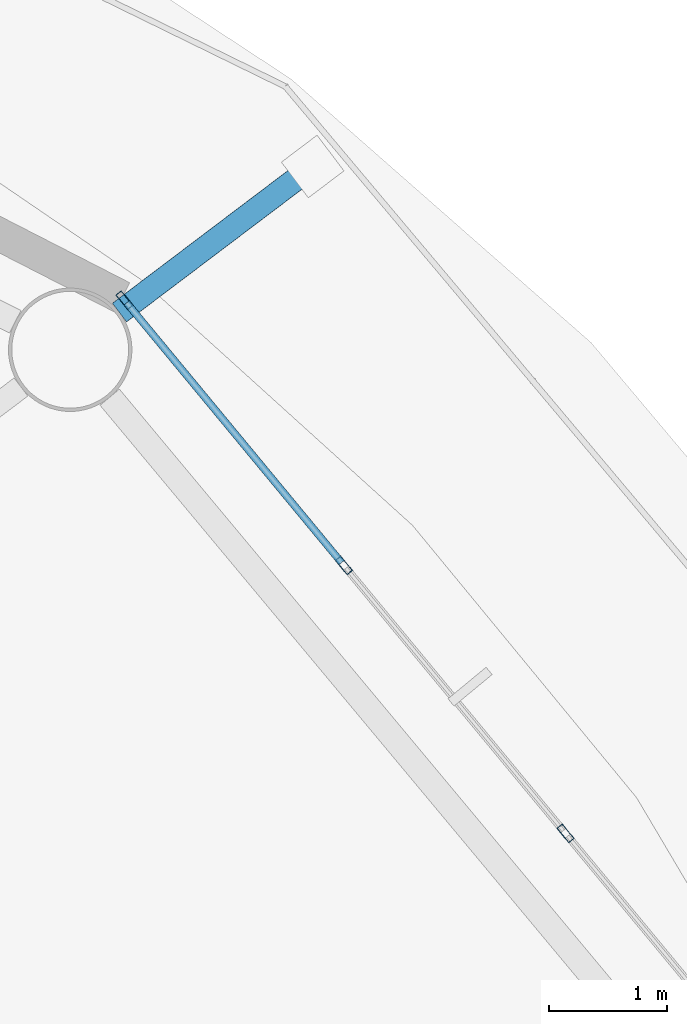
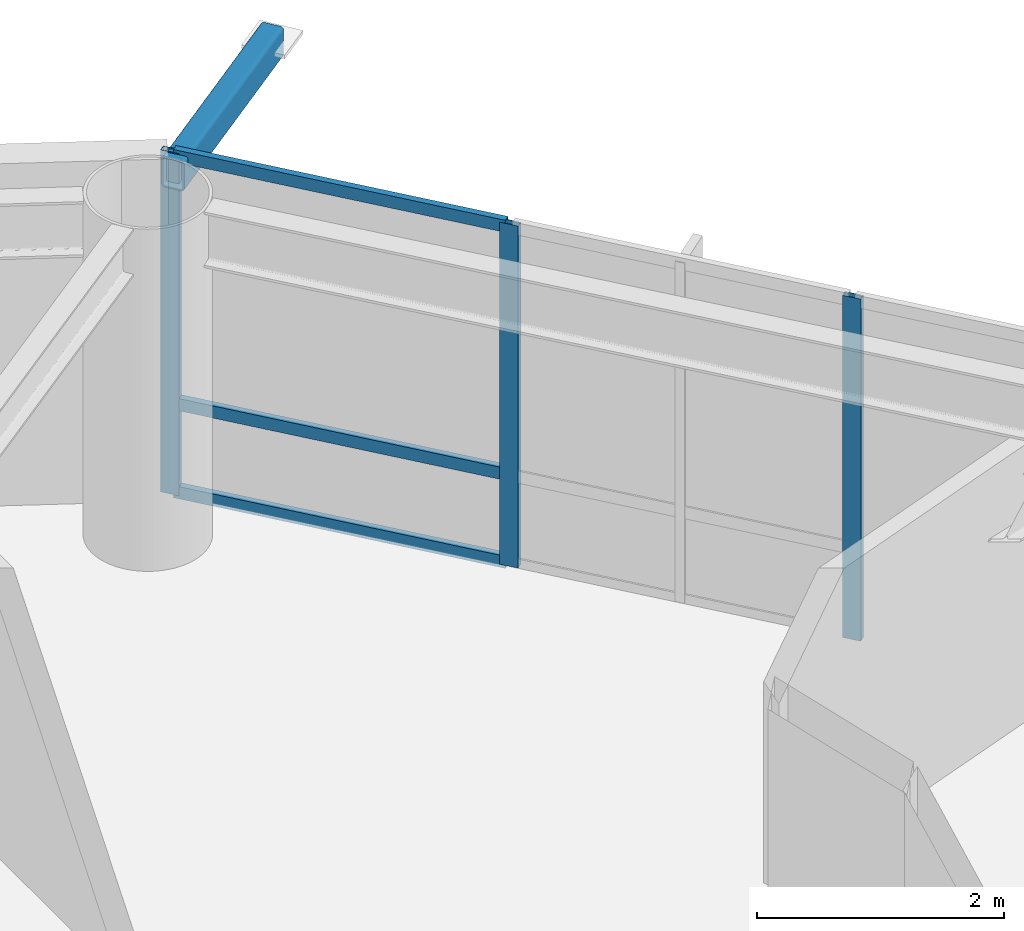
# One storey, part 15 of 27: 7 members, 1 element without a shape of its own.
"""IFC4 building model written with IfcOpenShell, lengths in metres."""

from ifc_helpers import new_model, si_unit, direction, frame, origin, origin_2d, place, context, subcontext, project, spatial, hollow_rectangle, extrude, material, layer, layer_set, material_profile, profile_set, type_object, element, aggregate, save


model = new_model("IFC4")

# Units and contexts
model_context = context("Model", 3, precision=1e-05, world=origin(), true_north=direction((0.0, 1.0)))
body_context = subcontext(model_context, "Body", "Model", "MODEL_VIEW")
ifc_project = project(units=[si_unit("LENGTHUNIT", "METRE"), si_unit("AREAUNIT", "SQUARE_METRE"), si_unit("VOLUMEUNIT", "CUBIC_METRE"), si_unit("PLANEANGLEUNIT", "RADIAN"), si_unit("MASSUNIT", "GRAM", prefix="KILO")], contexts=[model_context])

# Site, building, storey
site_placement = place(None, origin())
site = spatial("IfcSite", under=ifc_project, at=site_placement, CompositionType="ELEMENT")
building_placement = place(site_placement, origin())
building = spatial("IfcBuilding", under=site, at=building_placement, Name="Sarneth Arch Tower", CompositionType="ELEMENT")
storey_placement = place(building_placement, frame((0.0, 0.0, 157.800048828125)))
storey = spatial("IfcBuildingStorey", under=building, at=storey_placement, Name="L39", CompositionType="ELEMENT", Elevation=157.800048828125)

# Curtain wall, members
ifc_material_1 = material(Name="Anodised aluminium Type AA25 and solar-control low-e laminated IGU", Category="aluminium")
ifc_layer = layer(ifc_material_1, 0.169921875)
ifc_layer_set = layer_set([ifc_layer], Name="Anodised aluminium Type AA25 and solar-control low-e laminated IGU")
curtain_wall_type = type_object("IfcCurtainWallType", Name="CW-RES-MID", PredefinedType="NOTDEFINED", material=ifc_layer_set)
curtain_wall_placement = place(storey_placement, origin())
curtain_wall = element("IfcCurtainWall", 1, at=curtain_wall_placement, inside=storey, type_object=curtain_wall_type, Name="L39 Unitised curtain wall facet 02", PredefinedType="NOTDEFINED")
ifc_material_2 = material(Name="Anodised Aluminium 6063-T6", Category="aluminium")
ifc_material_profile_1 = material_profile(ifc_material_2, hollow_rectangle(XDim=0.06005859375, YDim=0.159912109375, WallThickness=0.00390625, at=origin_2d()), Name="AL-MULL-160x60x4")
ifc_profile_set_1 = profile_set([ifc_material_profile_1], Name="Anodised Aluminium 6063-T6")
member_type_1 = type_object("IfcMemberType", Name="CW-MULLION", PredefinedType="MULLION", material=ifc_profile_set_1)
member_1_placement = place(storey_placement, frame((71.346923828125, 52.3466796875, 0.0), z_axis=(0.0, 0.0, 1.0), x_axis=(-0.770590741276, -0.637330298558, 0.0)))
member_1 = element("IfcMember", 2, at=member_1_placement, type_object=member_type_1, Name="CW-SYS-5 mullion 2", PredefinedType="MULLION", context=body_context, shape_type="SweptSolid", body=[
    extrude(hollow_rectangle(XDim=0.06005859375, YDim=0.159912109375, WallThickness=0.00390625, at=origin_2d()), origin(), (0.0, 0.0, 1.0), 3.3798828125),
])
member_2_placement = place(storey_placement, frame((69.46142578125, 54.626220703125, 0.0), z_axis=(0.0, 0.0, 1.0), x_axis=(-0.770590741276, -0.637330298558, 0.0)))
member_2 = element("IfcMember", 3, at=member_2_placement, type_object=member_type_1, Name="CW-SYS-5 mullion 3", PredefinedType="MULLION", context=body_context, shape_type="SweptSolid", body=[
    extrude(hollow_rectangle(XDim=0.06005859375, YDim=0.159912109375, WallThickness=0.00390625, at=origin_2d()), origin(), (0.0, 0.0, 1.0), 3.3798828125),
])
member_3_placement = place(storey_placement, frame((67.59521484375, 56.8828125, 0.0), z_axis=(0.0, 0.0, 1.0), x_axis=(-0.770590741276, -0.637330298558, 0.0)))
member_3 = element("IfcMember", 4, at=member_3_placement, type_object=member_type_1, Name="CW-SYS-5 mullion 4", PredefinedType="MULLION", context=body_context, shape_type="SweptSolid", body=[
    extrude(hollow_rectangle(XDim=0.06005859375, YDim=0.159912109375, WallThickness=0.00390625, at=origin_2d()), origin(), (0.0, 0.0, 1.0), 3.3798828125),
])
ifc_material_3 = material(Name="Anodised Aluminium 6063-T6", Category="aluminium")
ifc_material_profile_2 = material_profile(ifc_material_3, hollow_rectangle(XDim=0.06005859375, YDim=0.1201171875, WallThickness=0.00390625, at=origin_2d()), Name="AL-TRAN-120x60x4")
ifc_profile_set_2 = profile_set([ifc_material_profile_2], Name="Anodised Aluminium 6063-T6")
member_type_2 = type_object("IfcMemberType", Name="CW-TRANSOM", PredefinedType="USERDEFINED", material=ifc_profile_set_2)
member_4_placement = place(storey_placement, frame((69.4423828125, 54.6494140625, 0.030029296875), z_axis=(-0.637358651504, 0.770567290607, 0.0), x_axis=(-0.770567290607, -0.637358651504, 0.0)))
member_4 = element("IfcMember", 5, at=member_4_placement, type_object=member_type_2, Name="CW-SYS-5 transom 3.1", ObjectType="TRANSOM", PredefinedType="USERDEFINED", context=body_context, shape_type="SweptSolid", body=[
    extrude(hollow_rectangle(XDim=0.06005859375, YDim=0.1201171875, WallThickness=0.00390625, at=origin_2d()), origin(), (0.0, 0.0, 1.0), 2.8681640625),
])
member_5_placement = place(storey_placement, frame((69.4423828125, 54.6494140625, 0.89990234375), z_axis=(-0.637358651504, 0.770567290607, 0.0), x_axis=(-0.770567290607, -0.637358651504, 0.0)))
member_5 = element("IfcMember", 6, at=member_5_placement, type_object=member_type_2, Name="CW-SYS-5 transom 3.2", ObjectType="TRANSOM", PredefinedType="USERDEFINED", context=body_context, shape_type="SweptSolid", body=[
    extrude(hollow_rectangle(XDim=0.06005859375, YDim=0.1201171875, WallThickness=0.00390625, at=origin_2d()), origin(), (0.0, 0.0, 1.0), 2.8681640625),
])
member_6_placement = place(storey_placement, frame((69.4423828125, 54.6494140625, 3.349853515625), z_axis=(-0.637358651504, 0.770567290607, 0.0), x_axis=(-0.770567290607, -0.637358651504, 0.0)))
member_6 = element("IfcMember", 7, at=member_6_placement, type_object=member_type_2, Name="CW-SYS-5 transom 3.3", ObjectType="TRANSOM", PredefinedType="USERDEFINED", context=body_context, shape_type="SweptSolid", body=[
    extrude(hollow_rectangle(XDim=0.06005859375, YDim=0.1201171875, WallThickness=0.00390625, at=origin_2d()), origin(), (0.0, 0.0, 1.0), 2.8681640625),
])
aggregate(curtain_wall, [member_1, member_2, member_3, member_4, member_5, member_6])

# Member
ifc_material_4 = material(Name="Steel S355", Category="steel")
ifc_material_profile_3 = material_profile(ifc_material_4, hollow_rectangle(XDim=0.199951171875, YDim=0.300048828125, WallThickness=0.012451171875, InnerFilletRadius=0.018798828125, OuterFilletRadius=0.03125, at=origin_2d()), Name="RHS300x200x12.5")
ifc_profile_set_3 = profile_set([ifc_material_profile_3], Name="Steel S355")
member_type_3 = type_object("IfcMemberType", Name="MEM-CANT-STRUT", PredefinedType="STRUT", material=ifc_profile_set_3)
member_7_placement = place(storey_placement, frame((67.552734375, 56.77685546875, 3.219970703125), z_axis=(0.79776219837, 0.602972200729, 0.0), x_axis=(-0.602972200729, 0.79776219837, 0.0)))
element("IfcMember", 8, at=member_7_placement, inside=storey, type_object=member_type_3, Name="L39 Balcony cantilever bracket 03", PredefinedType="STRUT", context=body_context, shape_type="SweptSolid", body=[
    extrude(hollow_rectangle(XDim=0.199951171875, YDim=0.300048828125, WallThickness=0.012451171875, InnerFilletRadius=0.018798828125, OuterFilletRadius=0.03125, at=origin_2d()), origin(), (0.0, 0.0, 1.0), 2.060546875),
])

save(model, "model.ifc")
